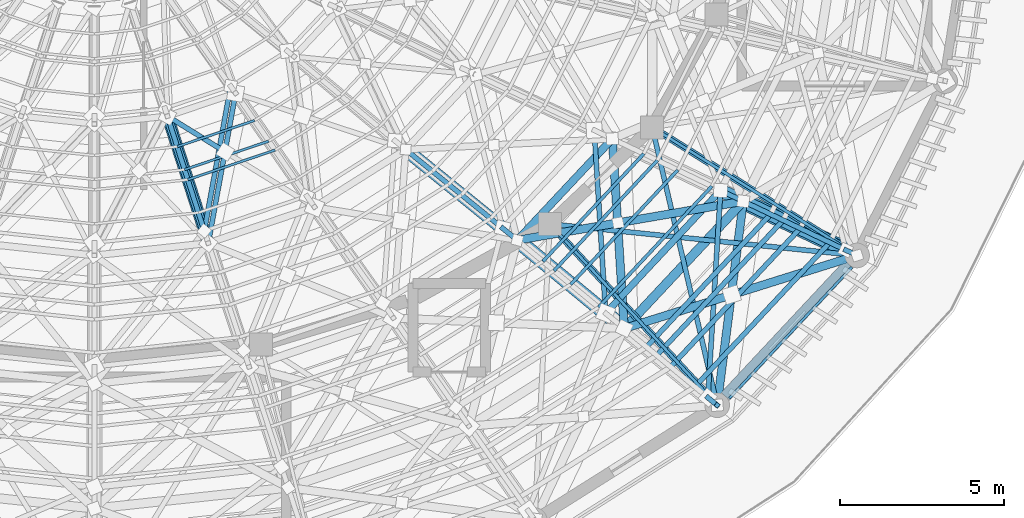
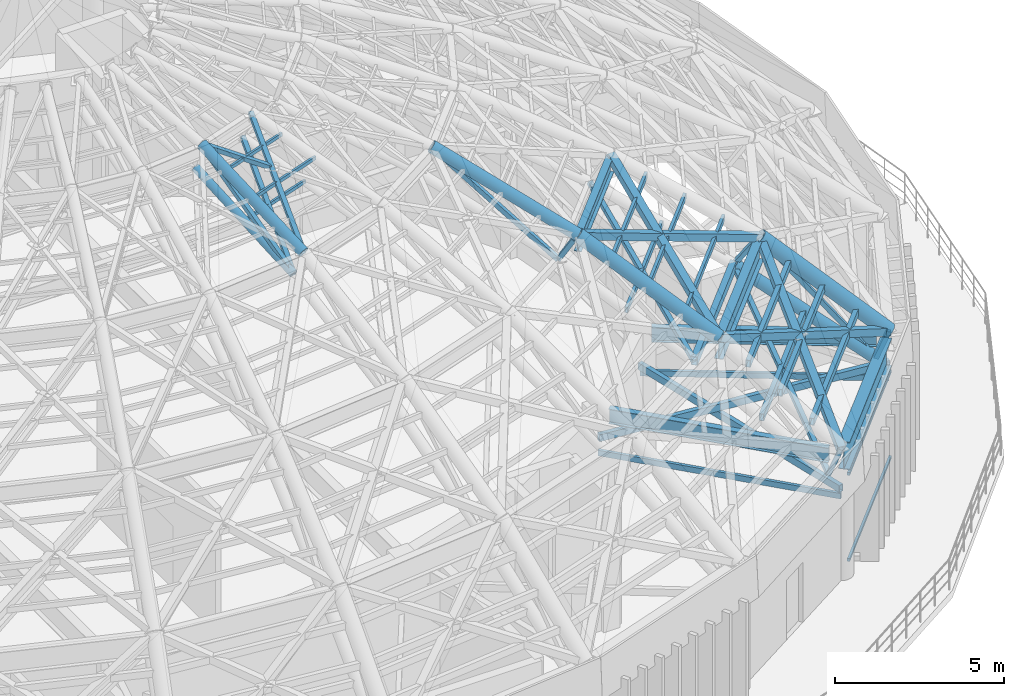
# One storey, part 17 of 50: 42 members, 5 beams.
"""IFC4 building model written with IfcOpenShell, lengths in metres."""

import ifcopenshell
import ifcopenshell.guid

model = None  # the IFC model being written
_history = None  # IfcOwnerHistory: only IFC2X3 demands one
_inside = {}  # id of a spatial element -> (the spatial element, [elements in it])
_under = {}  # id of a project, library or spatial element -> (it, [spatial elements below it])
_declared = {}  # id of a project -> (the project, [libraries it declares])
_typed = {}  # id of a type object -> (the type object, [elements of that type])
_made_of = {}  # id of a material, layer set ... -> (it, [elements and type objects made of it])


def new_model(schema):
    """Start an empty IFC model of exactly this schema.

    Asked for "IFC4X3", IfcOpenShell would pick the latest addendum, in which some entities
    have other attributes; the version numbers below select the first issue.
    IFC2X3 requires an IfcOwnerHistory on every rooted entity: one is made here for all.
    """
    global model, _history
    if schema == "IFC4X3":
        model = ifcopenshell.file(schema_version=(4, 3, 0, 0))
    else:
        model = ifcopenshell.file(schema=schema)
    _inside.clear()
    _under.clear()
    _declared.clear()
    _typed.clear()
    _made_of.clear()
    _history = None
    if model.schema == "IFC2X3":
        org = make("IfcOrganization", Name="unknown")
        user = make(
            "IfcPersonAndOrganization",
            ThePerson=make("IfcPerson", FamilyName="unknown"),
            TheOrganization=org,
        )
        app = make(
            "IfcApplication",
            ApplicationDeveloper=org,
            Version="unknown",
            ApplicationFullName="unknown",
            ApplicationIdentifier="unknown",
        )
        _history = make(
            "IfcOwnerHistory",
            OwningUser=user,
            OwningApplication=app,
            ChangeAction="ADDED",
            CreationDate=0,
        )
    return model


def make(cls, **values):
    """One entity of the class cls with the attributes given. An attribute that is None is left unset."""
    return model.create_entity(
        cls, **{name: value for name, value in values.items() if value is not None}
    )


def rooted(cls, **values):
    """An entity with a GlobalId (a new one), such as an element, a storey or a relation."""
    return make(cls, GlobalId=ifcopenshell.guid.new(), OwnerHistory=_history, **values)


def si_unit(unit_type, name, prefix=None):
    """IfcSIUnit, for example si_unit("LENGTHUNIT", "METRE", prefix="MILLI")."""
    return make("IfcSIUnit", UnitType=unit_type, Prefix=prefix, Name=name)


def assignment(units):
    """IfcUnitAssignment: the units of a project."""
    return None if units is None else make("IfcUnitAssignment", Units=units)


def point(xyz):
    """IfcCartesianPoint."""
    return None if xyz is None else make("IfcCartesianPoint", Coordinates=xyz)


def direction(xyz):
    """IfcDirection."""
    return None if xyz is None else make("IfcDirection", DirectionRatios=xyz)


def frame(location, z_axis=None, x_axis=None):
    """IfcAxis2Placement3D, a coordinate frame: its origin and axes. An axis left out is left unset."""
    return make(
        "IfcAxis2Placement3D",
        Location=point(location),
        Axis=direction(z_axis),
        RefDirection=direction(x_axis),
    )


def frame_2d(location, x_axis=None):
    """IfcAxis2Placement2D, a coordinate frame in the plane: its origin and x axis."""
    return make(
        "IfcAxis2Placement2D", Location=point(location), RefDirection=direction(x_axis)
    )


def origin():
    """The frame at (0, 0, 0) with its axes left unset."""
    return frame((0.0, 0.0, 0.0))


def origin_2d():
    """The frame at (0, 0) in the plane with its x axis left unset."""
    return frame_2d((0.0, 0.0))


def place(relative_to, where):
    """IfcLocalPlacement: puts the frame where relative to a parent placement (None: the world)."""
    return make(
        "IfcLocalPlacement", PlacementRelTo=relative_to, RelativePlacement=where
    )


def context(
    kind, dimensions, precision=None, world=None, true_north=None, identifier=None
):
    """IfcGeometricRepresentationContext, for example the 3D "Model" context."""
    return make(
        "IfcGeometricRepresentationContext",
        ContextIdentifier=identifier,
        ContextType=kind,
        CoordinateSpaceDimension=dimensions,
        Precision=precision,
        WorldCoordinateSystem=world,
        TrueNorth=true_north,
    )


def subcontext(parent, identifier, kind, view, scale=None):
    """IfcGeometricRepresentationSubContext, for example "Body" below "Model"."""
    return make(
        "IfcGeometricRepresentationSubContext",
        ContextIdentifier=identifier,
        ContextType=kind,
        ParentContext=parent,
        TargetScale=scale,
        TargetView=view,
    )


def project(units=None, contexts=None):
    """IfcProject with its units and contexts."""
    return rooted(
        "IfcProject",
        Name="project",
        RepresentationContexts=contexts,
        UnitsInContext=assignment(units),
    )


def spatial(cls, under=None, at=None, **own):
    """A site, building, storey or space (cls), placed at a placement, below another one or the project."""
    s = rooted(cls, ObjectPlacement=at, **own)
    if under is not None:
        _under.setdefault(under.id(), (under, []))[1].append(s)
    return s


def profile(cls, at=None, kind="AREA", **sizes):
    """A parametric profile (cls). Its sizes go by their IFC names, for example OverallWidth=200.0."""
    return make(cls, ProfileType=kind, Position=at, **sizes)


def rectangle(**sizes):
    """IfcRectangleProfileDef."""
    return profile("IfcRectangleProfileDef", **sizes)


def hollow_rectangle(**sizes):
    """IfcRectangleHollowProfileDef."""
    return profile("IfcRectangleHollowProfileDef", **sizes)


def hollow_circle(**sizes):
    """IfcCircleHollowProfileDef."""
    return profile("IfcCircleHollowProfileDef", **sizes)


def i_section(**sizes):
    """IfcIShapeProfileDef."""
    return profile("IfcIShapeProfileDef", **sizes)


def extrude(swept, where, along, depth):
    """IfcExtrudedAreaSolid: the profile swept, set in the frame where, extruded along a direction by depth."""
    return make(
        "IfcExtrudedAreaSolid",
        SweptArea=swept,
        Position=where,
        ExtrudedDirection=direction(along),
        Depth=depth,
    )


def shape(context_of_items, identifier, shape_type, items):
    """IfcShapeRepresentation: the items that make up one representation, for example the "Body"."""
    return make(
        "IfcShapeRepresentation",
        ContextOfItems=context_of_items,
        RepresentationIdentifier=identifier,
        RepresentationType=shape_type,
        Items=items,
    )


def material(Name=None, Category=None):
    """IfcMaterial."""
    return make("IfcMaterial", Name=Name, Category=Category)


def material_profile(
    of_material, cross_section, Name=None, Category=None, Priority=None
):
    """IfcMaterialProfile: a cross section and its material."""
    return make(
        "IfcMaterialProfile",
        Name=Name,
        Material=of_material,
        Profile=cross_section,
        Priority=Priority,
        Category=Category,
    )


def profile_set(profiles, Name=None, composite=None):
    """IfcMaterialProfileSet."""
    return make(
        "IfcMaterialProfileSet",
        Name=Name,
        MaterialProfiles=profiles,
        CompositeProfile=composite,
    )


def made_of(thing, what):
    """Note that an element or type object is made of a material, layer set ...; save() writes the relation."""
    if what is not None:
        _made_of.setdefault(what.id(), (what, []))[1].append(thing)
    return thing


def type_object(cls, material=None, **own):
    """A type object (cls), such as IfcWallType, which elements share."""
    return made_of(rooted(cls, **own), material)


def element(
    cls,
    number,
    at=None,
    inside=None,
    cuts=None,
    type_object=None,
    material=None,
    context=None,
    identifier="Body",
    shape_type=None,
    held_by="IfcProductDefinitionShape",
    body=None,
    shapes=None,
    **own,
):
    """One element of the class cls, such as IfcWall. Its Tag is "e" and its number.

    at: its placement. inside: the storey or other place that contains it. cuts: it is an
    opening in that element (IfcRelVoidsElement). A single representation is given by context,
    identifier, shape_type and body (its items); several are given by shapes. held_by: the class
    of the entity that holds the representations. save() writes the other relations.
    """
    e = rooted(cls, Tag="e%d" % number, ObjectPlacement=at, **own)
    if body is not None:
        shapes = [shape(context, identifier, shape_type, body)]
    if shapes is not None:
        e.Representation = make(held_by, Representations=shapes)
    if inside is not None:
        _inside.setdefault(inside.id(), (inside, []))[1].append(e)
    if cuts is not None:
        rooted(
            "IfcRelVoidsElement", RelatingBuildingElement=cuts, RelatedOpeningElement=e
        )
    if type_object is not None:
        _typed.setdefault(type_object.id(), (type_object, []))[1].append(e)
    return made_of(e, material)


def aggregate(whole, parts):
    """IfcRelAggregates: a whole, such as a stair, and the parts it consists of."""
    return rooted("IfcRelAggregates", RelatingObject=whole, RelatedObjects=parts)


def save(model, path):
    """Write the relations noted so far, then the file.

    IfcRelAggregates (storeys below a building ...), IfcRelContainedInSpatialStructure (elements
    in a storey), IfcRelDefinesByType, IfcRelAssociatesMaterial and IfcRelDeclares: one each for
    every whole, place, type object, material and project.
    """
    for whole, parts in _under.values():
        aggregate(whole, parts)
    for where, things in _inside.values():
        rooted(
            "IfcRelContainedInSpatialStructure",
            RelatedElements=things,
            RelatingStructure=where,
        )
    for kind, things in _typed.values():
        rooted("IfcRelDefinesByType", RelatedObjects=things, RelatingType=kind)
    for what, things in _made_of.values():
        rooted("IfcRelAssociatesMaterial", RelatedObjects=things, RelatingMaterial=what)
    for by, libraries in _declared.values():
        rooted("IfcRelDeclares", RelatingContext=by, RelatedDefinitions=libraries)
    model.write(path)


model = new_model("IFC4")

# Units and contexts
model_context = context("Model", 3, precision=1e-05, world=origin(), true_north=direction((0.0, 1.0)))
body_context = subcontext(model_context, "Body", "Model", "MODEL_VIEW")
ifc_project = project(units=[si_unit("LENGTHUNIT", "METRE"), si_unit("AREAUNIT", "SQUARE_METRE"), si_unit("VOLUMEUNIT", "CUBIC_METRE"), si_unit("PLANEANGLEUNIT", "RADIAN"), si_unit("MASSUNIT", "GRAM", prefix="KILO")], contexts=[model_context])

# Site, building, storey
site_placement = place(None, origin())
site = spatial("IfcSite", under=ifc_project, at=site_placement, CompositionType="ELEMENT")
building_placement = place(site_placement, origin())
building = spatial("IfcBuilding", under=site, at=building_placement, Name="Cinderbank Siding Concert Hall", CompositionType="ELEMENT")
storey_placement = place(building_placement, frame((0.0, 0.0, 23.699951171875)))
storey = spatial("IfcBuildingStorey", under=building, at=storey_placement, Name="L06", CompositionType="ELEMENT", Elevation=23.699951171875)

# Beams
ifc_material_1 = material(Name="Structural steel AS/NZS 3679.1 Grade 350 (340 MPa)", Category="steel")
ifc_material_profile_1 = material_profile(ifc_material_1, i_section(OverallWidth=0.208984375, OverallDepth=0.532958984375, WebThickness=0.01025390625, FlangeThickness=0.015625, at=origin_2d()), Name="530UB92.4", Category="LoadBearing")
ifc_profile_set_1 = profile_set([ifc_material_profile_1], Name="Structural steel AS/NZS 3679.1 Grade 350 (340 MPa)")
beam_type_1 = type_object("IfcBeamType", Name="BM-UB530H 530UB92.4", PredefinedType="BEAM", material=ifc_profile_set_1)
beam_1_placement = place(storey_placement, frame((136.09130859375, 33.707763671875, 4.235595703125), z_axis=(0.67829203735, -0.734792427879, 0.0), x_axis=(0.734792427879, 0.67829203735, 0.0)))
element("IfcBeam", 1, at=beam_1_placement, inside=storey, type_object=beam_type_1, Name="L06 Beam BM-UB530H #851", PredefinedType="BEAM", context=body_context, shape_type="SweptSolid", body=[
    extrude(i_section(OverallWidth=0.208984375, OverallDepth=0.532958984375, WebThickness=0.01025390625, FlangeThickness=0.015625, at=origin_2d()), origin(), (0.0, 0.0, 1.0), 6.797119140625),
])
beam_2_placement = place(storey_placement, frame((139.26416015625, 36.718505859375, 4.235595703125), z_axis=(0.84781868984, -0.530286214376, 0.0), x_axis=(0.530286214376, 0.84781868984, 0.0)))
element("IfcBeam", 2, at=beam_2_placement, inside=storey, type_object=beam_type_1, Name="L06 Beam BM-UB530H #852", PredefinedType="BEAM", context=body_context, shape_type="SweptSolid", body=[
    extrude(i_section(OverallWidth=0.208984375, OverallDepth=0.532958984375, WebThickness=0.01025390625, FlangeThickness=0.015625, at=origin_2d()), origin(), (0.0, 0.0, 1.0), 6.645263671875),
])
ifc_material_profile_2 = material_profile(ifc_material_1, i_section(OverallWidth=0.22900390625, OverallDepth=0.611572265625, WebThickness=0.011962890625, FlangeThickness=0.01953125, at=origin_2d()), Name="610UB125", Category="LoadBearing")
ifc_profile_set_2 = profile_set([ifc_material_profile_2], Name="Structural steel AS/NZS 3679.1 Grade 350 (340 MPa)")
beam_type_2 = type_object("IfcBeamType", Name="BM-UB610H 610UB125", PredefinedType="BEAM", material=ifc_profile_set_2)
beam_3_placement = place(storey_placement, frame((134.869384765625, 33.464111328125, 10.994140625), z_axis=(0.683848958016, 0.729623603387, 0.0), x_axis=(-0.729623603387, 0.683848958016, 0.0)))
element("IfcBeam", 3, at=beam_3_placement, inside=storey, type_object=beam_type_2, Name="L06 Beam BM-UB610H #2070", PredefinedType="BEAM", context=body_context, shape_type="SweptSolid", body=[
    extrude(i_section(OverallWidth=0.22900390625, OverallDepth=0.611572265625, WebThickness=0.011962890625, FlangeThickness=0.01953125, at=origin_2d()), origin(), (0.0, 0.0, 1.0), 4.2294921875),
])
ifc_material_2 = material(Name="Structural steel welded plate section AS/NZS 3679.2 / AS/NZS 3678 Grade 350 (340 MPa)", Category="steel")
ifc_material_profile_3 = material_profile(ifc_material_2, i_section(OverallWidth=0.35009765625, OverallDepth=1.0, WebThickness=0.013916015625, FlangeThickness=0.02490234375, at=origin_2d()), Name="1000WB258", Category="LoadBearing")
ifc_profile_set_3 = profile_set([ifc_material_profile_3], Name="Structural steel welded plate section AS/NZS 3679.2 / AS/NZS 3678 Grade 350 (340 MPa)")
beam_type_3 = type_object("IfcBeamType", Name="BM-WB1000 1000WB258", PredefinedType="BEAM", material=ifc_profile_set_3)
beam_4_placement = place(storey_placement, frame((141.201171875, 28.7119140625, 4.0), z_axis=(0.682880789785, 0.730529826183, 0.0), x_axis=(-0.730529826183, 0.682880789785, 0.0)))
element("IfcBeam", 4, at=beam_4_placement, inside=storey, type_object=beam_type_3, Name="L06 Beam BM-WB1000 #836", PredefinedType="BEAM", context=body_context, shape_type="SweptSolid", body=[
    extrude(i_section(OverallWidth=0.35009765625, OverallDepth=1.0, WebThickness=0.013916015625, FlangeThickness=0.02490234375, at=origin_2d()), origin(), (0.0, 0.0, 1.0), 5.5029296875),
])
ifc_material_profile_4 = material_profile(ifc_material_2, i_section(OverallWidth=0.27490234375, OverallDepth=0.800048828125, WebThickness=0.010009765625, FlangeThickness=0.01611328125, at=origin_2d()), Name="800WB146", Category="LoadBearing")
ifc_profile_set_4 = profile_set([ifc_material_profile_4], Name="Structural steel welded plate section AS/NZS 3679.2 / AS/NZS 3678 Grade 350 (340 MPa)")
beam_type_4 = type_object("IfcBeamType", Name="BM-WB800 800WB146", PredefinedType="BEAM", material=ifc_profile_set_4)
beam_5_placement = place(storey_placement, frame((138.1220703125, 30.777099609375, 7.699951171875), z_axis=(0.683191972894, 0.730238815849, 0.0), x_axis=(-0.730238815849, 0.683191972894, 0.0)))
element("IfcBeam", 5, at=beam_5_placement, inside=storey, type_object=beam_type_4, Name="L06 Beam BM-WB800 #2054", PredefinedType="BEAM", context=body_context, shape_type="SweptSolid", body=[
    extrude(i_section(OverallWidth=0.27490234375, OverallDepth=0.800048828125, WebThickness=0.010009765625, FlangeThickness=0.01611328125, at=origin_2d()), origin(), (0.0, 0.0, 1.0), 5.303466796875),
])

# Members
ifc_material_3 = material(Name="Structural steel hollow section AS/NZS 1163 Grade C350L0 (350 MPa)", Category="steel")
ifc_material_profile_5 = material_profile(ifc_material_3, hollow_rectangle(XDim=0.14990234375, YDim=0.14990234375, WallThickness=0.008056640625, at=origin_2d()), Name="150x150x8.0SHS", Category="LoadBearing")
ifc_profile_set_5 = profile_set([ifc_material_profile_5], Name="Structural steel hollow section AS/NZS 1163 Grade C350L0 (350 MPa)")
member_type_1 = type_object("IfcMemberType", Name="BR-SHS150 150x150x8.0SHS Roof Truss", PredefinedType="BRACE", material=ifc_profile_set_5)
member_1_placement = place(storey_placement, frame((140.666259765625, 28.677001953125, 3.550048828125), z_axis=(0.27897780154, -0.229126098172, 0.932562393293), x_axis=(0.63468279093, 0.772772770546, 0.0)))
element("IfcMember", 6, at=member_1_placement, inside=storey, type_object=member_type_1, Name="L06 Diagonal Brace BR-SHS150 #DWBV-BR-SHS150-L06-0785", PredefinedType="BRACE", context=body_context, shape_type="SweptSolid", body=[
    extrude(hollow_rectangle(XDim=0.14990234375, YDim=0.14990234375, WallThickness=0.008056640625, at=origin_2d()), origin(), (0.0, 0.0, 1.0), 1.0185546875),
])
member_2_placement = place(storey_placement, frame((140.666259765625, 28.677001953125, 3.550048828125), z_axis=(0.053385937211, 0.867009122517, 0.495424185098), x_axis=(-0.998109644016, 0.061458429216, 0.0)))
element("IfcMember", 7, at=member_2_placement, inside=storey, type_object=member_type_1, Name="L06 Diagonal Brace BR-SHS150 #DBRI-BR-SHS150-L06-0791", PredefinedType="BRACE", context=body_context, shape_type="SweptSolid", body=[
    extrude(hollow_rectangle(XDim=0.14990234375, YDim=0.14990234375, WallThickness=0.008056640625, at=origin_2d()), origin(), (0.0, 0.0, 1.0), 7.2666015625),
])
member_3_placement = place(storey_placement, frame((144.861328125, 33.1650390625, 3.550048828125), z_axis=(-0.545595440162, 0.259994630343, 0.79669844224), x_axis=(-0.430186155729, -0.902740201508, 0.0)))
element("IfcMember", 8, at=member_3_placement, inside=storey, type_object=member_type_1, Name="L06 Diagonal Brace BR-SHS150 #DWBD-BR-SHS150-L06-0794", PredefinedType="BRACE", context=body_context, shape_type="SweptSolid", body=[
    extrude(hollow_rectangle(XDim=0.14990234375, YDim=0.14990234375, WallThickness=0.008056640625, at=origin_2d()), origin(), (0.0, 0.0, 1.0), 5.711181640625),
])
member_4_placement = place(storey_placement, frame((144.861328125, 33.1650390625, 3.550048828125), z_axis=(0.339616879997, -0.160996501317, 0.926682524592), x_axis=(0.428358715974, 0.903608770679, 0.0)))
element("IfcMember", 9, at=member_4_placement, inside=storey, type_object=member_type_1, Name="L06 Diagonal Brace BR-SHS150 #DWBV-BR-SHS150-L06-0797", PredefinedType="BRACE", context=body_context, shape_type="SweptSolid", body=[
    extrude(hollow_rectangle(XDim=0.14990234375, YDim=0.14990234375, WallThickness=0.008056640625, at=origin_2d()), origin(), (0.0, 0.0, 1.0), 1.025146484375),
])
member_5_placement = place(storey_placement, frame((137.557861328125, 31.239990234375, 7.150146484375), z_axis=(-0.054073361361, 0.865856813714, 0.497361085869), x_axis=(-0.99805564077, -0.06232927023, 0.0)))
element("IfcMember", 10, at=member_5_placement, inside=storey, type_object=member_type_1, Name="L06 Diagonal Brace BR-SHS150 #DBRI-BR-SHS150-L06-1079", PredefinedType="BRACE", context=body_context, shape_type="SweptSolid", body=[
    extrude(hollow_rectangle(XDim=0.14990234375, YDim=0.14990234375, WallThickness=0.008056640625, at=origin_2d()), origin(), (0.0, 0.0, 1.0), 6.433837890625),
])
member_6_placement = place(storey_placement, frame((141.05419921875, 34.977294921875, 7.150146484375), z_axis=(0.56673612526, -0.26845395407, 0.778936864495), x_axis=(0.428086344739, 0.903737838894, 0.0)))
element("IfcMember", 11, at=member_6_placement, inside=storey, type_object=member_type_1, Name="L06 Diagonal Brace BR-SHS150 #DWBV-BR-SHS150-L06-1085", PredefinedType="BRACE", context=body_context, shape_type="SweptSolid", body=[
    extrude(hollow_rectangle(XDim=0.14990234375, YDim=0.14990234375, WallThickness=0.008056640625, at=origin_2d()), origin(), (0.0, 0.0, 1.0), 1.219482421875),
])
member_7_placement = place(storey_placement, frame((134.4189453125, 33.8330078125, 10.35009765625), z_axis=(-0.559402260271, 0.45390543328, 0.693569728898), x_axis=(-0.630083355632, -0.776527504314, 0.0)))
element("IfcMember", 12, at=member_7_placement, inside=storey, type_object=member_type_1, Name="L06 Diagonal Brace BR-SHS150 #DWBD-BR-SHS150-L06-1358", PredefinedType="BRACE", context=body_context, shape_type="SweptSolid", body=[
    extrude(hollow_rectangle(XDim=0.14990234375, YDim=0.14990234375, WallThickness=0.008056640625, at=origin_2d()), origin(), (0.0, 0.0, 1.0), 5.262451171875),
])
member_8_placement = place(storey_placement, frame((134.4189453125, 33.8330078125, 10.35009765625), z_axis=(0.404280440723, -0.331093629232, 0.852604441655), x_axis=(0.633603073906, 0.773658286801, 0.0)))
element("IfcMember", 13, at=member_8_placement, inside=storey, type_object=member_type_1, Name="L06 Diagonal Brace BR-SHS150 #DWBV-BR-SHS150-L06-1361", PredefinedType="BRACE", context=body_context, shape_type="SweptSolid", body=[
    extrude(hollow_rectangle(XDim=0.14990234375, YDim=0.14990234375, WallThickness=0.008056640625, at=origin_2d()), origin(), (0.0, 0.0, 1.0), 1.1142578125),
])
member_9_placement = place(storey_placement, frame((125.3466796875, 33.74658203125, 13.050048828125), z_axis=(-0.238143684101, 0.741923135199, 0.626767618164), x_axis=(-0.95215246519, -0.305623433384, 0.0)))
element("IfcMember", 14, at=member_9_placement, inside=storey, type_object=member_type_1, Name="L06 Diagonal Brace BR-SHS150 #DWBD-BR-SHS150-L06-1622", PredefinedType="BRACE", context=body_context, shape_type="SweptSolid", body=[
    extrude(hollow_rectangle(XDim=0.14990234375, YDim=0.14990234375, WallThickness=0.008056640625, at=origin_2d()), origin(), (0.0, 0.0, 1.0), 4.70654296875),
])
member_10_placement = place(storey_placement, frame((125.46826171875, 33.374755859375, 14.0), z_axis=(0.164677286939, 0.903380831492, 0.395960180395), x_axis=(-0.983788114666, 0.179334730159, 0.0)))
element("IfcMember", 15, at=member_10_placement, inside=storey, type_object=member_type_1, Name="L06 Diagonal Brace BR-SHS150 #DBRO-BR-SHS150-L06-1629", PredefinedType="BRACE", context=body_context, shape_type="SweptSolid", body=[
    extrude(hollow_rectangle(XDim=0.14990234375, YDim=0.14990234375, WallThickness=0.008056640625, at=origin_2d()), origin(), (0.0, 0.0, 1.0), 5.051025390625),
])
member_11_placement = place(storey_placement, frame((125.963134765625, 36.164794921875, 15.223388671875), z_axis=(-0.795103050729, 0.49140854653, 0.355427600389), x_axis=(-0.525737178875, -0.850647058861, 0.0)))
element("IfcMember", 16, at=member_11_placement, inside=storey, type_object=member_type_1, Name="L06 Diagonal Brace BR-SHS150 #DBRO-BR-SHS150-L06-1630-S148", PredefinedType="BRACE", context=body_context, shape_type="SweptSolid", body=[
    extrude(hollow_rectangle(XDim=0.14990234375, YDim=0.14990234375, WallThickness=0.008056640625, at=origin_2d()), origin(), (0.0, 0.0, 1.0), 2.18505859375),
])
member_12_placement = place(storey_placement, frame((125.3466796875, 33.74658203125, 13.050048828125), z_axis=(0.163742846478, 0.89819524911, 0.407962712393), x_axis=(-0.983786020014, 0.179346220548, 0.0)))
element("IfcMember", 17, at=member_12_placement, inside=storey, type_object=member_type_1, Name="L06 Diagonal Brace BR-SHS150 #DBRI-BR-SHS150-L06-1631", PredefinedType="BRACE", context=body_context, shape_type="SweptSolid", body=[
    extrude(hollow_rectangle(XDim=0.14990234375, YDim=0.14990234375, WallThickness=0.008056640625, at=origin_2d()), origin(), (0.0, 0.0, 1.0), 4.90234375),
])
ifc_material_profile_6 = material_profile(ifc_material_3, hollow_rectangle(XDim=0.25, YDim=0.25, WallThickness=0.010009765625, at=origin_2d()), Name="250x250x10.0SHS", Category="LoadBearing")
ifc_profile_set_6 = profile_set([ifc_material_profile_6], Name="Structural steel hollow section AS/NZS 1163 Grade C350L0 (350 MPa)")
member_type_2 = type_object("IfcMemberType", Name="BR-SHS250 250x250x10.0SHS Roof Truss", PredefinedType="BRACE", material=ifc_profile_set_6)
member_13_placement = place(storey_placement, frame((140.950439453125, 28.443603515625, 4.5), z_axis=(0.110118627621, 0.859743744707, 0.498712924725), x_axis=(-0.991896926859, 0.127045214345, 0.0)))
element("IfcMember", 18, at=member_13_placement, inside=storey, type_object=member_type_2, Name="L06 Diagonal Brace BR-SHS250 #DBRO-BR-SHS250-L06-0789", PredefinedType="BRACE", context=body_context, shape_type="SweptSolid", body=[
    extrude(hollow_rectangle(XDim=0.25, YDim=0.25, WallThickness=0.010009765625, at=origin_2d()), origin(), (0.0, 0.0, 1.0), 7.21875),
])
member_14_placement = place(storey_placement, frame((145.20947265625, 33.0, 4.5), z_axis=(-0.858647058781, -0.269281471741, 0.436133829716), x_axis=(0.299240930292, -0.954177586007, 0.0)))
element("IfcMember", 19, at=member_14_placement, inside=storey, type_object=member_type_2, Name="L06 Diagonal Brace BR-SHS250 #DBRO-BR-SHS250-L06-0790", PredefinedType="BRACE", context=body_context, shape_type="SweptSolid", body=[
    extrude(hollow_rectangle(XDim=0.25, YDim=0.25, WallThickness=0.010009765625, at=origin_2d()), origin(), (0.0, 0.0, 1.0), 4.4453125),
])
member_15_placement = place(storey_placement, frame((141.36669921875, 31.794921875, 6.451904296875), z_axis=(-0.858616244164, -0.269343199542, 0.436156378055), x_axis=(0.299313160734, -0.954154930717, 0.0)))
element("IfcMember", 20, at=member_15_placement, inside=storey, type_object=member_type_2, Name="L06 Diagonal Brace BR-SHS250 #DBRO-BR-SHS250-L06-0790-S78", PredefinedType="BRACE", context=body_context, shape_type="SweptSolid", body=[
    extrude(hollow_rectangle(XDim=0.25, YDim=0.25, WallThickness=0.010009765625, at=origin_2d()), origin(), (0.0, 0.0, 1.0), 3.77880859375),
])
member_16_placement = place(storey_placement, frame((138.1220703125, 30.777099609375, 8.10009765625), z_axis=(-0.054513386933, 0.873322186601, 0.48408330795), x_axis=(-0.998057502409, -0.062299453335, 0.0)))
element("IfcMember", 21, at=member_16_placement, inside=storey, type_object=member_type_2, Name="L06 Diagonal Brace BR-SHS250 #DBRO-BR-SHS250-L06-1077", PredefinedType="BRACE", context=body_context, shape_type="SweptSolid", body=[
    extrude(hollow_rectangle(XDim=0.25, YDim=0.25, WallThickness=0.010009765625, at=origin_2d()), origin(), (0.0, 0.0, 1.0), 6.6103515625),
])
member_17_placement = place(storey_placement, frame((141.745361328125, 34.64990234375, 8.10009765625), z_axis=(-0.895759608871, -0.154476929345, 0.416835220938), x_axis=(0.169944969115, -0.985453554193, 0.0)))
element("IfcMember", 22, at=member_17_placement, inside=storey, type_object=member_type_2, Name="L06 Diagonal Brace BR-SHS250 #DBRO-BR-SHS250-L06-1078", PredefinedType="BRACE", context=body_context, shape_type="SweptSolid", body=[
    extrude(hollow_rectangle(XDim=0.25, YDim=0.25, WallThickness=0.010009765625, at=origin_2d()), origin(), (0.0, 0.0, 1.0), 4.254638671875),
])
member_18_placement = place(storey_placement, frame((137.907470703125, 33.988037109375, 9.88623046875), z_axis=(-0.895752335307, -0.154474808066, 0.416851637236), x_axis=(0.169944042918, -0.985453713919, 0.0)))
element("IfcMember", 23, at=member_18_placement, inside=storey, type_object=member_type_2, Name="L06 Diagonal Brace BR-SHS250 #DBRO-BR-SHS250-L06-1078-S102", PredefinedType="BRACE", context=body_context, shape_type="SweptSolid", body=[
    extrude(hollow_rectangle(XDim=0.25, YDim=0.25, WallThickness=0.010009765625, at=origin_2d()), origin(), (0.0, 0.0, 1.0), 3.3916015625),
])
ifc_material_profile_7 = material_profile(ifc_material_3, hollow_circle(Radius=0.136474609375, WallThickness=0.00927734375, at=origin_2d()), Name="273.1x9.3CHS", Category="LoadBearing")
ifc_profile_set_7 = profile_set([ifc_material_profile_7], Name="Structural steel hollow section AS/NZS 1163 Grade C350L0 (350 MPa)")
member_type_3 = type_object("IfcMemberType", Name="DR-CHS273 273.1x9.3CHS Roof Truss", PredefinedType="RAFTER", material=ifc_profile_set_7)
member_19_placement = place(storey_placement, frame((125.3466796875, 33.74658203125, 13.050048828125), z_axis=(-0.272588147626, 0.847854621293, 0.454794726141), x_axis=(-0.95200780418, -0.306073750558, 0.0)))
element("IfcMember", 24, at=member_19_placement, inside=storey, type_object=member_type_3, Name="L06 Roof Truss Member DR-CHS273 #1621", PredefinedType="RAFTER", context=body_context, shape_type="SweptSolid", body=[
    extrude(hollow_circle(Radius=0.136474609375, WallThickness=0.00927734375, at=origin_2d()), origin(), (0.0, 0.0, 1.0), 4.397705078125),
])
ifc_material_profile_8 = material_profile(ifc_material_3, hollow_circle(Radius=0.177734375, WallThickness=0.0126953125, at=origin_2d()), Name="355.6x12.7CHS", Category="LoadBearing")
ifc_profile_set_8 = profile_set([ifc_material_profile_8], Name="Structural steel hollow section AS/NZS 1163 Grade C350L0 (350 MPa)")
member_type_4 = type_object("IfcMemberType", Name="DR-CHS355 355.6x12.7CHS Roof Truss", PredefinedType="RAFTER", material=ifc_profile_set_8)
member_20_placement = place(storey_placement, frame((125.46826171875, 33.374755859375, 14.0), z_axis=(-0.274592480014, 0.853939985988, 0.442024286946), x_axis=(-0.951992253749, -0.3061221142, 0.0)))
element("IfcMember", 25, at=member_20_placement, inside=storey, type_object=member_type_4, Name="L06 Roof Truss Member DR-CHS355 #1620", PredefinedType="RAFTER", context=body_context, shape_type="SweptSolid", body=[
    extrude(hollow_circle(Radius=0.177734375, WallThickness=0.0126953125, at=origin_2d()), origin(), (0.0, 0.0, 1.0), 4.524658203125),
])
ifc_material_profile_9 = material_profile(ifc_material_3, hollow_circle(Radius=0.203125, WallThickness=0.01611328125, at=origin_2d()), Name="406.4x16.0CHS", Category="LoadBearing")
ifc_profile_set_9 = profile_set([ifc_material_profile_9], Name="Structural steel hollow section AS/NZS 1163 Grade C350L0 (350 MPa)")
member_type_5 = type_object("IfcMemberType", Name="DR-CHS406 406.4x16.0CHS Roof Truss", PredefinedType="RAFTER", material=ifc_profile_set_9)
member_21_placement = place(storey_placement, frame((144.861328125, 33.1650390625, 3.550048828125), z_axis=(-0.686675048231, 0.326868595807, 0.649333734848), x_axis=(-0.429805464198, -0.902921515385, 0.0)))
element("IfcMember", 26, at=member_21_placement, inside=storey, type_object=member_type_5, Name="L06 Roof Truss Member DR-CHS406 #793", PredefinedType="RAFTER", context=body_context, shape_type="SweptSolid", body=[
    extrude(hollow_circle(Radius=0.203125, WallThickness=0.01611328125, at=origin_2d()), origin(), (0.0, 0.0, 1.0), 5.544189453125),
])
member_22_placement = place(storey_placement, frame((134.869384765625, 33.464111328125, 11.300048828125), z_axis=(-0.66042333152, 0.536537547977, 0.525327024619), x_axis=(-0.630552692376, -0.776146443745, 0.0)))
element("IfcMember", 27, at=member_22_placement, inside=storey, type_object=member_type_5, Name="L06 Roof Truss Member DR-CHS406 #1356", PredefinedType="RAFTER", context=body_context, shape_type="SweptSolid", body=[
    extrude(hollow_circle(Radius=0.203125, WallThickness=0.01611328125, at=origin_2d()), origin(), (0.0, 0.0, 1.0), 5.1396484375),
])
ifc_material_profile_10 = material_profile(ifc_material_3, hollow_circle(Radius=0.228515625, WallThickness=0.01611328125, at=origin_2d()), Name="457.0x16.0CHS", Category="LoadBearing")
ifc_profile_set_10 = profile_set([ifc_material_profile_10], Name="Structural steel hollow section AS/NZS 1163 Grade C350L0 (350 MPa)")
member_type_6 = type_object("IfcMemberType", Name="DR-CHS457 457.0x16.0CHS Roof Truss", PredefinedType="RAFTER", material=ifc_profile_set_10)
member_23_placement = place(storey_placement, frame((138.1220703125, 30.777099609375, 8.10009765625), z_axis=(-0.6142646629, 0.507438030464, 0.604305857287), x_axis=(-0.636882942431, -0.770960516265, 0.0)))
element("IfcMember", 28, at=member_23_placement, inside=storey, type_object=member_type_6, Name="L06 Roof Truss Member DR-CHS457 #1068", PredefinedType="RAFTER", context=body_context, shape_type="SweptSolid", body=[
    extrude(hollow_circle(Radius=0.228515625, WallThickness=0.01611328125, at=origin_2d()), origin(), (0.0, 0.0, 1.0), 5.295166015625),
])
ifc_material_profile_11 = material_profile(ifc_material_3, hollow_circle(Radius=0.25390625, WallThickness=0.01611328125, at=origin_2d()), Name="508.0x16.0CHS", Category="LoadBearing")
ifc_profile_set_11 = profile_set([ifc_material_profile_11], Name="Structural steel hollow section AS/NZS 1163 Grade C350L0 (350 MPa)")
member_type_7 = type_object("IfcMemberType", Name="DR-CHS508 508.0x16.0CHS Roof Truss", PredefinedType="RAFTER", material=ifc_profile_set_11)
member_24_placement = place(storey_placement, frame((145.20947265625, 33.0, 4.5), z_axis=(-0.658393706592, 0.313582681595, 0.684239452914), x_axis=(-0.430002735645, -0.902827584502, 0.0)))
element("IfcMember", 29, at=member_24_placement, inside=storey, type_object=member_type_7, Name="L06 Roof Truss Member DR-CHS508 #792", PredefinedType="RAFTER", context=body_context, shape_type="SweptSolid", body=[
    extrude(hollow_circle(Radius=0.25390625, WallThickness=0.01611328125, at=origin_2d()), origin(), (0.0, 0.0, 1.0), 5.261474609375),
])
ifc_material_4 = material(Name="Anodised aluminium alloy 6063-T6", Category="aluminium")
ifc_material_profile_12 = material_profile(ifc_material_4, rectangle(XDim=0.080078125, YDim=0.10009765625, at=origin_2d()), Name="ALU-RAIL-80x100", Category="LoadBearing")
ifc_profile_set_12 = profile_set([ifc_material_profile_12], Name="Anodised aluminium alloy 6063-T6")
member_type_8 = type_object("IfcMemberType", Name="LV-RL1 Carrier Rail 80x100", PredefinedType="STUD", material=ifc_profile_set_12)
for number, where, z_axis, x_axis, name in (
    (30, (141.326904296875, 28.6591796875, 0.219970703125), (0.682858444422, 0.730550713422, 0.0), (-0.730550713422, 0.682858444422, 0.0), "L06 Louvre Carrier Rail 22 BOT"),
    (31, (141.326904296875, 28.6591796875, 3.320068359375), (0.682858444422, 0.730550713422, 0.0), (-0.730550713422, 0.682858444422, 0.0), "L06 Louvre Carrier Rail 22 TOP"),
):
    element("IfcMember", number, at=place(storey_placement, frame(where, z_axis=z_axis, x_axis=x_axis)), inside=storey, type_object=member_type_8, Name=name, PredefinedType="STUD", context=body_context, shape_type="SweptSolid", body=[
        extrude(rectangle(XDim=0.080078125, YDim=0.10009765625, at=origin_2d()), origin(), (0.0, 0.0, 1.0), 5.45703125),
    ])
ifc_material_profile_13 = material_profile(ifc_material_3, hollow_rectangle(XDim=0.074951171875, YDim=0.125, WallThickness=0.0048828125, at=origin_2d()), Name="125x75x5.0RHS", Category="LoadBearing")
ifc_profile_set_13 = profile_set([ifc_material_profile_13], Name="Structural steel hollow section AS/NZS 1163 Grade C350L0 (350 MPa)")
member_type_9 = type_object("IfcMemberType", Name="PR-RHS125 125x75x5.0RHS Roof Truss", PredefinedType="PURLIN", material=ifc_profile_set_13)
member_25_placement = place(storey_placement, frame((124.747314453125, 35.611083984375, 14.050048828125), z_axis=(0.947118458483, 0.320884131114, 0.0), x_axis=(-0.320884131114, 0.947118458483, 0.0)))
element("IfcMember", 32, at=member_25_placement, inside=storey, type_object=member_type_9, Name="L06 Roof Truss Member PR-RHS125 #1624", PredefinedType="PURLIN", context=body_context, shape_type="SweptSolid", body=[
    extrude(hollow_rectangle(XDim=0.074951171875, YDim=0.125, WallThickness=0.0048828125, at=origin_2d()), origin(), (0.0, 0.0, 1.0), 2.703369140625),
])
member_26_placement = place(storey_placement, frame((124.846923828125, 35.306640625, 15.0), z_axis=(0.947085190011, 0.320982309267, 0.0), x_axis=(-0.320982309267, 0.947085190011, 0.0)))
element("IfcMember", 33, at=member_26_placement, inside=storey, type_object=member_type_9, Name="L06 Roof Truss Member PR-RHS125 #1627", PredefinedType="PURLIN", context=body_context, shape_type="SweptSolid", body=[
    extrude(hollow_rectangle(XDim=0.074951171875, YDim=0.125, WallThickness=0.0048828125, at=origin_2d()), origin(), (0.0, 0.0, 1.0), 2.80126953125),
])
member_27_placement = place(storey_placement, frame((124.52392578125, 36.311279296875, 15.52001953125), z_axis=(0.947327545455, 0.320266329204, 0.0), x_axis=(-0.320266329204, 0.947327545455, 0.0)))
element("IfcMember", 34, at=member_27_placement, inside=storey, type_object=member_type_9, Name="L06 Roof Truss Member PR-RHS125 #1628", PredefinedType="PURLIN", context=body_context, shape_type="SweptSolid", body=[
    extrude(hollow_rectangle(XDim=0.074951171875, YDim=0.125, WallThickness=0.0048828125, at=origin_2d()), origin(), (0.0, 0.0, 1.0), 2.48291015625),
])
ifc_material_profile_14 = material_profile(ifc_material_3, hollow_rectangle(XDim=0.10009765625, YDim=0.199951171875, WallThickness=0.008056640625, at=origin_2d()), Name="200x100x8.0RHS", Category="LoadBearing")
ifc_profile_set_14 = profile_set([ifc_material_profile_14], Name="Structural steel hollow section AS/NZS 1163 Grade C350L0 (350 MPa)")
member_type_10 = type_object("IfcMemberType", Name="PR-RHS200 200x100x8.0RHS Roof Truss", PredefinedType="PURLIN", material=ifc_profile_set_14)
member_28_placement = place(storey_placement, frame((135.98828125, 32.536376953125, 8.75), z_axis=(0.683476646555, 0.729972378665, 0.0), x_axis=(-0.729972378665, 0.683476646555, 0.0)))
element("IfcMember", 35, at=member_28_placement, inside=storey, type_object=member_type_10, Name="L06 Roof Truss Member PR-RHS200 #1072", PredefinedType="PURLIN", context=body_context, shape_type="SweptSolid", body=[
    extrude(hollow_rectangle(XDim=0.10009765625, YDim=0.199951171875, WallThickness=0.008056640625, at=origin_2d()), origin(), (0.0, 0.0, 1.0), 4.599609375),
])
member_29_placement = place(storey_placement, frame((137.34130859375, 31.422119140625, 8.8681640625), z_axis=(0.683350217783, 0.730090733989, 0.0), x_axis=(-0.730090733989, 0.683350217783, 0.0)))
element("IfcMember", 36, at=member_29_placement, inside=storey, type_object=member_type_10, Name="L06 Roof Truss Member PR-RHS200 #1074", PredefinedType="PURLIN", context=body_context, shape_type="SweptSolid", body=[
    extrude(hollow_rectangle(XDim=0.10009765625, YDim=0.199951171875, WallThickness=0.008056640625, at=origin_2d()), origin(), (0.0, 0.0, 1.0), 5.045654296875),
])
member_30_placement = place(storey_placement, frame((136.49560546875, 32.12060546875, 9.699951171875), z_axis=(0.683470748623, 0.729977900882, 0.0), x_axis=(-0.729977900882, 0.683470748623, 0.0)))
element("IfcMember", 37, at=member_30_placement, inside=storey, type_object=member_type_10, Name="L06 Roof Truss Member PR-RHS200 #1075", PredefinedType="PURLIN", context=body_context, shape_type="SweptSolid", body=[
    extrude(hollow_rectangle(XDim=0.10009765625, YDim=0.199951171875, WallThickness=0.008056640625, at=origin_2d()), origin(), (0.0, 0.0, 1.0), 4.7666015625),
])
member_31_placement = place(storey_placement, frame((135.64990234375, 32.819091796875, 10.531982421875), z_axis=(0.683662376866, 0.72979843413, 0.0), x_axis=(-0.72979843413, 0.683662376866, 0.0)))
element("IfcMember", 38, at=member_31_placement, inside=storey, type_object=member_type_10, Name="L06 Roof Truss Member PR-RHS200 #1076", PredefinedType="PURLIN", context=body_context, shape_type="SweptSolid", body=[
    extrude(hollow_rectangle(XDim=0.10009765625, YDim=0.199951171875, WallThickness=0.008056640625, at=origin_2d()), origin(), (0.0, 0.0, 1.0), 4.4873046875),
])
member_32_placement = place(storey_placement, frame((135.859375, 33.958984375, 2.81005859375), z_axis=(0.678276049894, -0.734807185689, 0.0), x_axis=(0.734807185689, 0.678276049894, 0.0)))
element("IfcMember", 39, at=member_32_placement, inside=storey, type_object=member_type_10, Name="L06 Roof Truss Member PR-RHS200 #2369", PredefinedType="PURLIN", context=body_context, shape_type="SweptSolid", body=[
    extrude(hollow_rectangle(XDim=0.10009765625, YDim=0.199951171875, WallThickness=0.008056640625, at=origin_2d()), origin(), (0.0, 0.0, 1.0), 7.505859375),
])
member_33_placement = place(storey_placement, frame((138.97412109375, 36.89990234375, 2.81005859375), z_axis=(0.847826684568, -0.530273432235, 0.0), x_axis=(0.530273432235, 0.847826684568, 0.0)))
element("IfcMember", 40, at=member_33_placement, inside=storey, type_object=member_type_10, Name="L06 Roof Truss Member PR-RHS200 #2372", PredefinedType="PURLIN", context=body_context, shape_type="SweptSolid", body=[
    extrude(hollow_rectangle(XDim=0.10009765625, YDim=0.199951171875, WallThickness=0.008056640625, at=origin_2d()), origin(), (0.0, 0.0, 1.0), 7.3544921875),
])
ifc_material_profile_15 = material_profile(ifc_material_3, hollow_rectangle(XDim=0.14990234375, YDim=0.25, WallThickness=0.009033203125, at=origin_2d()), Name="250x150x9.0RHS", Category="LoadBearing")
ifc_profile_set_15 = profile_set([ifc_material_profile_15], Name="Structural steel hollow section AS/NZS 1163 Grade C350L0 (350 MPa)")
member_type_11 = type_object("IfcMemberType", Name="PR-RHS250 250x150x9.0RHS Roof Truss", PredefinedType="PURLIN", material=ifc_profile_set_15)
member_34_placement = place(storey_placement, frame((139.112060546875, 29.95849609375, 5.35009765625), z_axis=(0.683013150283, 0.730406076467, 0.0), x_axis=(-0.730406076467, 0.683013150283, 0.0)))
element("IfcMember", 41, at=member_34_placement, inside=storey, type_object=member_type_11, Name="L06 Roof Truss Member PR-RHS250 #784", PredefinedType="PURLIN", context=body_context, shape_type="SweptSolid", body=[
    extrude(hollow_rectangle(XDim=0.14990234375, YDim=0.25, WallThickness=0.009033203125, at=origin_2d()), origin(), (0.0, 0.0, 1.0), 5.630615234375),
])
member_35_placement = place(storey_placement, frame((140.271728515625, 29.003662109375, 5.364013671875), z_axis=(0.682934278853, 0.730479822286, 0.0), x_axis=(-0.730479822286, 0.682934278853, 0.0)))
element("IfcMember", 42, at=member_35_placement, inside=storey, type_object=member_type_11, Name="L06 Roof Truss Member PR-RHS250 #786", PredefinedType="PURLIN", context=body_context, shape_type="SweptSolid", body=[
    extrude(hollow_rectangle(XDim=0.14990234375, YDim=0.25, WallThickness=0.009033203125, at=origin_2d()), origin(), (0.0, 0.0, 1.0), 6.012939453125),
])
member_36_placement = place(storey_placement, frame((139.5361328125, 29.6103515625, 6.300048828125), z_axis=(0.683015909335, 0.730403496429, 0.0), x_axis=(-0.730403496429, 0.683015909335, 0.0)))
element("IfcMember", 43, at=member_36_placement, inside=storey, type_object=member_type_11, Name="L06 Roof Truss Member PR-RHS250 #787", PredefinedType="PURLIN", context=body_context, shape_type="SweptSolid", body=[
    extrude(hollow_rectangle(XDim=0.14990234375, YDim=0.25, WallThickness=0.009033203125, at=origin_2d()), origin(), (0.0, 0.0, 1.0), 5.770263671875),
])
member_37_placement = place(storey_placement, frame((138.80078125, 30.217041015625, 7.236083984375), z_axis=(0.68312825559, 0.730298422848, 0.0), x_axis=(-0.730298422848, 0.68312825559, 0.0)))
element("IfcMember", 44, at=member_37_placement, inside=storey, type_object=member_type_11, Name="L06 Roof Truss Member PR-RHS250 #788", PredefinedType="PURLIN", context=body_context, shape_type="SweptSolid", body=[
    extrude(hollow_rectangle(XDim=0.14990234375, YDim=0.25, WallThickness=0.009033203125, at=origin_2d()), origin(), (0.0, 0.0, 1.0), 5.527587890625),
])
ifc_material_profile_16 = material_profile(ifc_material_3, hollow_rectangle(XDim=0.199951171875, YDim=0.300048828125, WallThickness=0.010009765625, at=origin_2d()), Name="300x200x10.0RHS", Category="LoadBearing")
ifc_profile_set_16 = profile_set([ifc_material_profile_16], Name="Structural steel hollow section AS/NZS 1163 Grade C350L0 (350 MPa)")
member_type_12 = type_object("IfcMemberType", Name="PR-RHS300 300x200x10.0RHS Roof Truss", PredefinedType="PURLIN", material=ifc_profile_set_16)
member_38_placement = place(storey_placement, frame((137.557861328125, 31.239990234375, 7.150146484375), z_axis=(0.683172721189, 0.730256826755, 0.0), x_axis=(-0.730256826755, 0.683172721189, 0.0)))
element("IfcMember", 45, at=member_38_placement, inside=storey, type_object=member_type_12, Name="L06 Roof Truss Member PR-RHS300 #783", PredefinedType="PURLIN", context=body_context, shape_type="SweptSolid", body=[
    extrude(hollow_rectangle(XDim=0.199951171875, YDim=0.300048828125, WallThickness=0.010009765625, at=origin_2d()), origin(), (0.0, 0.0, 1.0), 5.11767578125),
])
ifc_material_profile_17 = material_profile(ifc_material_3, hollow_rectangle(XDim=0.14990234375, YDim=0.25, WallThickness=0.009033203125, at=origin_2d()), Name="250x150x9.0RHS", Category="LoadBearing")
ifc_profile_set_17 = profile_set([ifc_material_profile_17], Name="Structural steel hollow section AS/NZS 1163 Grade C350L0 (350 MPa)")
member_type_13 = type_object("IfcMemberType", Name="TR-RHS250 250x150x9.0RHS Roof Truss", PredefinedType="RAFTER", material=ifc_profile_set_17)
member_39_placement = place(storey_placement, frame((135.859375, 33.958984375, 3.35009765625), z_axis=(0.994781438611, -0.102028865499, 0.0), x_axis=(0.102028865499, 0.994781438611, 0.0)))
element("IfcMember", 46, at=member_39_placement, inside=storey, type_object=member_type_13, Name="L06 Roof Truss Member TR-RHS250 #2367", PredefinedType="RAFTER", context=body_context, shape_type="SweptSolid", body=[
    extrude(hollow_rectangle(XDim=0.14990234375, YDim=0.25, WallThickness=0.009033203125, at=origin_2d()), origin(), (0.0, 0.0, 1.0), 9.399169921875),
])
member_40_placement = place(storey_placement, frame((138.97412109375, 36.89990234375, 3.070068359375), z_axis=(0.227577092084, -0.973760066525, 0.0), x_axis=(0.973760066525, 0.227577092084, 0.0)))
element("IfcMember", 47, at=member_40_placement, inside=storey, type_object=member_type_13, Name="L06 Roof Truss Member TR-RHS250 #2368", PredefinedType="RAFTER", context=body_context, shape_type="SweptSolid", body=[
    extrude(hollow_rectangle(XDim=0.14990234375, YDim=0.25, WallThickness=0.009033203125, at=origin_2d()), origin(), (0.0, 0.0, 1.0), 8.68408203125),
])

save(model, "model.ifc")
